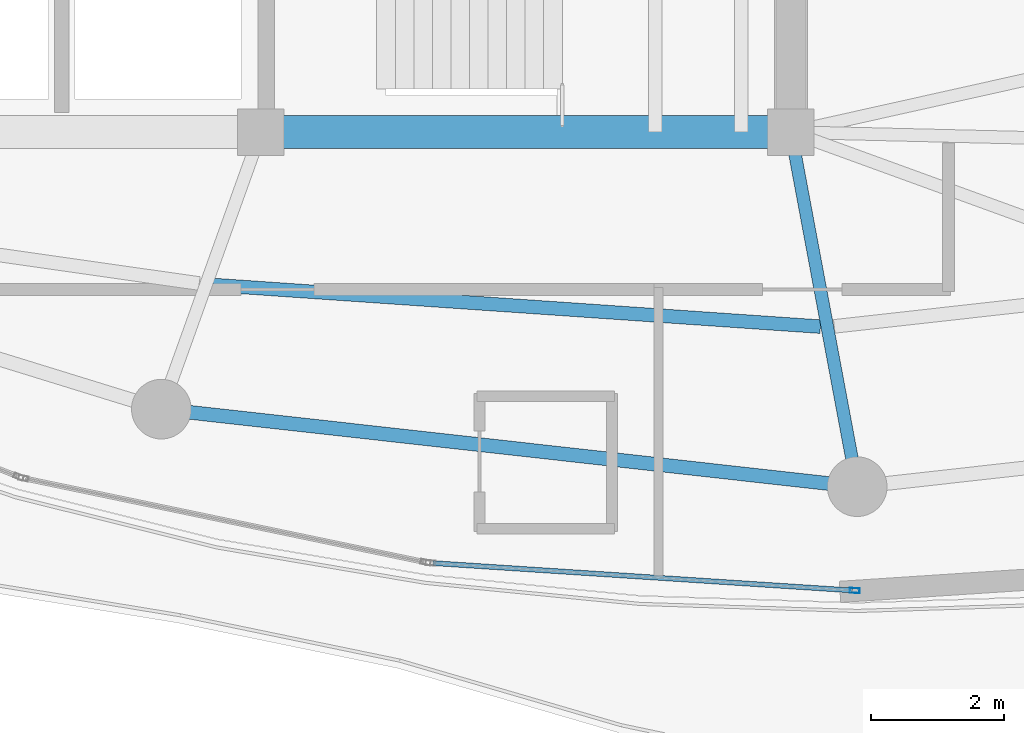
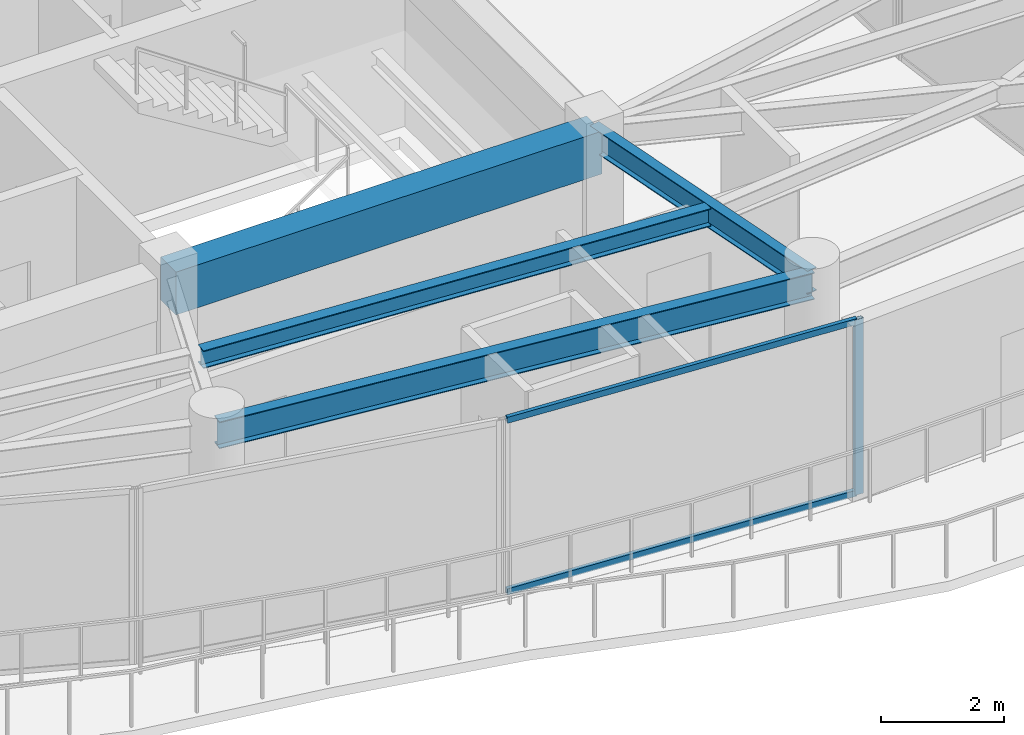
# One storey, part 5 of 22: 4 beams, 3 members, 1 element without a shape of its own.
"""IFC4 building model written with IfcOpenShell, lengths in metres."""

from ifc_helpers import new_model, si_unit, direction, frame, origin, origin_2d, place, context, subcontext, project, spatial, rectangle, hollow_rectangle, i_section, extrude, material, layer, layer_set, material_profile, profile_set, type_object, element, aggregate, save


model = new_model("IFC4")

# Units and contexts
model_context = context("Model", 3, precision=1e-05, world=origin(), true_north=direction((0.0, 1.0)))
body_context = subcontext(model_context, "Body", "Model", "MODEL_VIEW")
ifc_project = project(units=[si_unit("LENGTHUNIT", "METRE"), si_unit("AREAUNIT", "SQUARE_METRE"), si_unit("VOLUMEUNIT", "CUBIC_METRE"), si_unit("PLANEANGLEUNIT", "RADIAN"), si_unit("MASSUNIT", "GRAM", prefix="KILO")], contexts=[model_context])

# Site, building, storey
site_placement = place(None, origin())
site = spatial("IfcSite", under=ifc_project, at=site_placement, CompositionType="ELEMENT")
building_placement = place(site_placement, origin())
building = spatial("IfcBuilding", under=site, at=building_placement, Name="Kazevale Care Tower and Concert Hall", CompositionType="ELEMENT")
storey_placement = place(building_placement, frame((0.0, 0.0, 277.60009765625)))
storey = spatial("IfcBuildingStorey", under=building, at=storey_placement, Name="L73", CompositionType="ELEMENT", Elevation=277.60009765625)

# Curtain wall, members
ifc_material_1 = material(Name="Aluminium 6063-T6 and Low-E Glass", Category="aluminium")
ifc_layer = layer(ifc_material_1, 0.179931640625)
ifc_layer_set = layer_set([ifc_layer], Name="Aluminium 6063-T6 and Low-E Glass")
curtain_wall_type = type_object("IfcCurtainWallType", Name="Sheltered Concave Balcony Curtain Wall CW-5", PredefinedType="NOTDEFINED", material=ifc_layer_set)
curtain_wall_placement = place(storey_placement, origin())
curtain_wall = element("IfcCurtainWall", 1, at=curtain_wall_placement, inside=storey, type_object=curtain_wall_type, Name="cw:L73:f02", PredefinedType="NOTDEFINED")
ifc_material_2 = material(Name="Aluminium 6063-T6", Category="aluminium")
ifc_material_profile_1 = material_profile(ifc_material_2, hollow_rectangle(XDim=0.074951171875, YDim=0.14990234375, WallThickness=0.00390625, at=origin_2d()), Name="ALU75x150x4")
ifc_profile_set_1 = profile_set([ifc_material_profile_1], Name="Aluminium 6063-T6")
member_type_1 = type_object("IfcMemberType", Name="CW-5 Mullion ALU75x150x4", PredefinedType="MULLION", material=ifc_profile_set_1)
member_1_placement = place(storey_placement, frame((44.962646484375, 16.682373046875, 0.0), z_axis=(0.0, 0.0, 1.0), x_axis=(-0.065045771206, -0.997882281458, 0.0)))
member_1 = element("IfcMember", 2, at=member_1_placement, type_object=member_type_1, Name="CW-5 mullion 1", PredefinedType="MULLION", context=body_context, shape_type="SweptSolid", body=[
    extrude(hollow_rectangle(XDim=0.074951171875, YDim=0.14990234375, WallThickness=0.00390625, at=origin_2d()), origin(), (0.0, 0.0, 1.0), 3.47998046875),
])
ifc_material_profile_2 = material_profile(ifc_material_2, hollow_rectangle(XDim=0.074951171875, YDim=0.1201171875, WallThickness=0.00390625, at=origin_2d()), Name="ALU75x120x4")
ifc_profile_set_2 = profile_set([ifc_material_profile_2], Name="Aluminium 6063-T6")
member_type_2 = type_object("IfcMemberType", Name="CW-5 Transom ALU75x120x4", PredefinedType="USERDEFINED", material=ifc_profile_set_2)
member_2_placement = place(storey_placement, frame((44.925048828125, 16.684814453125, 0.037353515625), z_axis=(-0.997881084772, 0.065064127246, 0.0), x_axis=(-0.065064127246, -0.997881084772, 0.0)))
member_2 = element("IfcMember", 3, at=member_2_placement, type_object=member_type_2, Name="CW-5 transom 1.1", ObjectType="TRANSOM", PredefinedType="USERDEFINED", context=body_context, shape_type="SweptSolid", body=[
    extrude(hollow_rectangle(XDim=0.074951171875, YDim=0.1201171875, WallThickness=0.00390625, at=origin_2d()), origin(), (0.0, 0.0, 1.0), 6.337646484375),
])
member_3_placement = place(storey_placement, frame((44.925048828125, 16.684814453125, 3.4423828125), z_axis=(-0.997881084772, 0.065064127246, 0.0), x_axis=(-0.065064127246, -0.997881084772, 0.0)))
member_3 = element("IfcMember", 4, at=member_3_placement, type_object=member_type_2, Name="CW-5 transom 1.2", ObjectType="TRANSOM", PredefinedType="USERDEFINED", context=body_context, shape_type="SweptSolid", body=[
    extrude(hollow_rectangle(XDim=0.074951171875, YDim=0.1201171875, WallThickness=0.00390625, at=origin_2d()), origin(), (0.0, 0.0, 1.0), 6.337646484375),
])
aggregate(curtain_wall, [member_1, member_2, member_3])

# Beams
ifc_material_3 = material(Name="Concrete C60", Category="concrete")
ifc_material_profile_3 = material_profile(ifc_material_3, rectangle(XDim=0.5, YDim=0.85009765625, at=origin_2d()), Name="RC-B500x850")
ifc_profile_set_3 = profile_set([ifc_material_profile_3], Name="Concrete C60")
beam_type_1 = type_object("IfcBeamType", Name="Core Coupling Beam RC500x850", PredefinedType="LINTEL", material=ifc_profile_set_3)
beam_1_placement = place(storey_placement, frame((36.0, 23.60009765625, 3.054931640625), z_axis=(1.0, 0.0, 0.0), x_axis=(0.0, 1.0, 0.0)))
element("IfcBeam", 5, at=beam_1_placement, inside=storey, type_object=beam_type_1, Name="beam:L73:coretie:3", PredefinedType="LINTEL", context=body_context, shape_type="SweptSolid", body=[
    extrude(rectangle(XDim=0.5, YDim=0.85009765625, at=origin_2d()), origin(), (0.0, 0.0, 1.0), 8.0),
])
ifc_material_4 = material(Name="Steel ASTM A572 Gr 50", Category="steel")
ifc_material_profile_4 = material_profile(ifc_material_4, i_section(OverallWidth=0.19091796875, OverallDepth=0.4599609375, WebThickness=0.010009765625, FlangeThickness=0.01611328125, at=origin_2d()), Name="W460x82")
ifc_profile_set_4 = profile_set([ifc_material_profile_4], Name="Steel ASTM A572 Gr 50")
beam_type_2 = type_object("IfcBeamType", Name="Radial Floor Beam W460x82", PredefinedType="BEAM", material=ifc_profile_set_4)
beam_2_placement = place(storey_placement, frame((44.0, 23.60009765625, 3.25), z_axis=(0.183730597003, -0.982976636408, 0.0), x_axis=(0.982976636408, 0.183730597003, 0.0)))
element("IfcBeam", 6, at=beam_2_placement, inside=storey, type_object=beam_type_2, Name="beam:L73:rad:13", PredefinedType="BEAM", context=body_context, shape_type="SweptSolid", body=[
    extrude(i_section(OverallWidth=0.19091796875, OverallDepth=0.4599609375, WebThickness=0.010009765625, FlangeThickness=0.01611328125, at=origin_2d()), origin(), (0.0, 0.0, 1.0), 5.44287109375),
])
ifc_material_profile_5 = material_profile(ifc_material_4, i_section(OverallWidth=0.205078125, OverallDepth=0.35400390625, WebThickness=0.009521484375, FlangeThickness=0.016845703125, at=origin_2d()), Name="W360x79")
ifc_profile_set_5 = profile_set([ifc_material_profile_5], Name="Steel ASTM A572 Gr 50")
beam_type_3 = type_object("IfcBeamType", Name="Secondary Floor Joist W360x79", PredefinedType="JOIST", material=ifc_profile_set_5)
beam_3_placement = place(storey_placement, frame((35.280029296875, 21.2939453125, 3.302978515625), z_axis=(0.997653920332, -0.068459150207, 0.0), x_axis=(0.068459150207, 0.997653920332, 0.0)))
element("IfcBeam", 7, at=beam_3_placement, inside=storey, type_object=beam_type_3, Name="beam:L73:joist:12", PredefinedType="JOIST", context=body_context, shape_type="SweptSolid", body=[
    extrude(i_section(OverallWidth=0.205078125, OverallDepth=0.35400390625, WebThickness=0.009521484375, FlangeThickness=0.016845703125, at=origin_2d()), origin(), (0.0, 0.0, 1.0), 9.1865234375),
])
ifc_material_profile_6 = material_profile(ifc_material_4, i_section(OverallWidth=0.208984375, OverallDepth=0.532958984375, WebThickness=0.01025390625, FlangeThickness=0.015625, at=origin_2d()), Name="W530x92")
ifc_profile_set_6 = profile_set([ifc_material_profile_6], Name="Steel ASTM A572 Gr 50")
beam_type_4 = type_object("IfcBeamType", Name="Upper Ring Beam W530x92", PredefinedType="BEAM", material=ifc_profile_set_6)
beam_4_placement = place(storey_placement, frame((34.5, 19.419921875, 3.21337890625), z_axis=(0.993849870772, -0.110735876598, 0.0), x_axis=(0.110735876598, 0.993849870772, 0.0)))
element("IfcBeam", 8, at=beam_4_placement, inside=storey, type_object=beam_type_4, Name="beam:L73:ring:12", PredefinedType="BEAM", context=body_context, shape_type="SweptSolid", body=[
    extrude(i_section(OverallWidth=0.208984375, OverallDepth=0.532958984375, WebThickness=0.01025390625, FlangeThickness=0.015625, at=origin_2d()), origin(), (0.0, 0.0, 1.0), 10.56494140625),
])

save(model, "model.ifc")
